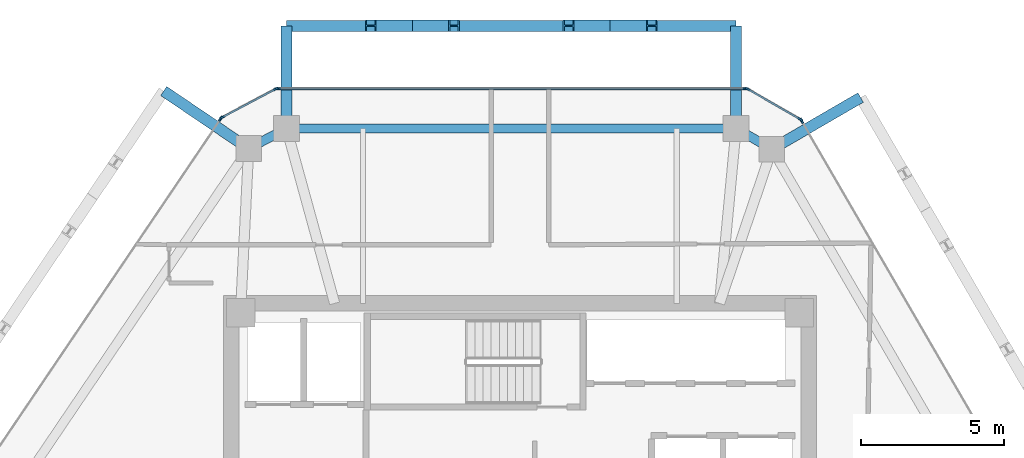
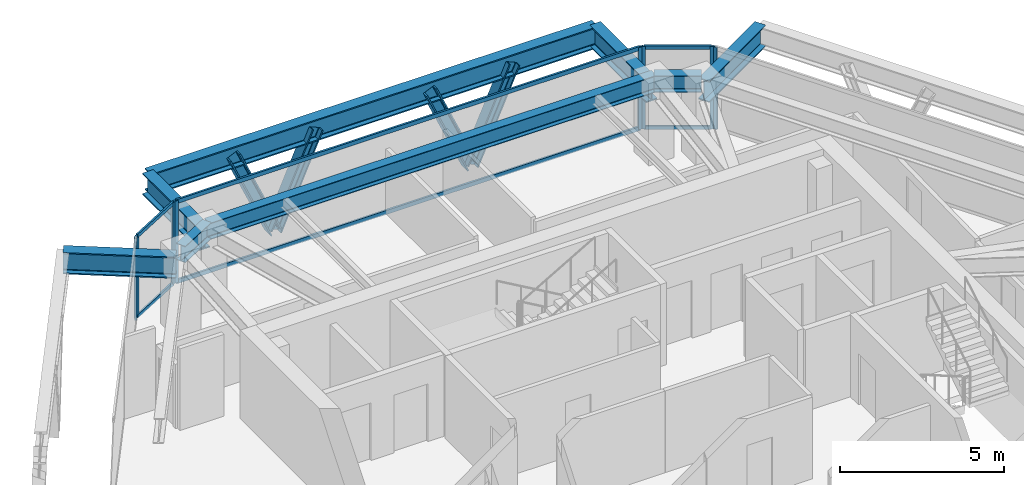
# One storey, part 6 of 11: 18 members, 8 beams, 5 elements without a shape of their own.
"""IFC4 building model written with IfcOpenShell, lengths in metres."""

from ifc_helpers import new_model, si_unit, direction, frame, origin, origin_2d, place, context, subcontext, project, spatial, rectangle, i_section, extrude, source, transform, mapped, material, layer, layer_set, material_profile, profile_set, type_object, type_shapes, element, aggregate, save


model = new_model("IFC4")

# Units and contexts
model_context = context("Model", 3, precision=1e-05, world=origin(), true_north=direction((0.0, 1.0)))
body_context = subcontext(model_context, "Body", "Model", "MODEL_VIEW")
ifc_project = project(units=[si_unit("LENGTHUNIT", "METRE"), si_unit("AREAUNIT", "SQUARE_METRE"), si_unit("VOLUMEUNIT", "CUBIC_METRE"), si_unit("PLANEANGLEUNIT", "RADIAN"), si_unit("MASSUNIT", "GRAM", prefix="KILO")], contexts=[model_context])

# Site, building, storey
site_placement = place(None, origin())
site = spatial("IfcSite", under=ifc_project, at=site_placement, CompositionType="ELEMENT")
building_placement = place(site_placement, origin())
building = spatial("IfcBuilding", under=site, at=building_placement, Name="Durnholm Broadcast Tower", CompositionType="ELEMENT")
storey_placement = place(building_placement, frame((0.0, 0.0, 224.89990234375)))
storey = spatial("IfcBuildingStorey", under=building, at=storey_placement, Name="L62", CompositionType="ELEMENT", Elevation=224.89990234375)

# Beams
ifc_material_1 = material(Name="Steel ASTM A992 Grade 50", Category="steel")
ifc_material_profile_1 = material_profile(ifc_material_1, i_section(OverallWidth=0.385009765625, OverallDepth=0.802978515625, WebThickness=0.023681640625, FlangeThickness=0.0419921875, FilletRadius=0.032958984375, at=origin_2d()), Name="W30X261")
ifc_profile_set_1 = profile_set([ifc_material_profile_1], Name="Steel ASTM A992 Grade 50")
beam_type_1 = type_object("IfcBeamType", Name="BM-EXO-TIE", PredefinedType="USERDEFINED", material=ifc_profile_set_1)
shared_shape_1 = source(origin(), body_context, "Body", "SweptSolid", [
    extrude(i_section(OverallWidth=0.385009765625, OverallDepth=0.802978515625, WebThickness=0.023681640625, FlangeThickness=0.0419921875, FilletRadius=0.032958984375, at=origin_2d()), origin(), (0.0, 0.0, 1.0), 3.4560546875),
])
for number, where, z_axis, x_axis, name in (
    (1, (7.57958984375, 14.406005859375, 2.30859375), (0.0, 1.0, 0.0), (-1.0, 0.0, 0.0), "L62 exoskeleton stand-off tie bracket F4.1"),
    (2, (-8.187744140625, 14.406005859375, 2.30859375), (0.0, 1.0, 0.0), (-1.0, 0.0, 0.0), "L62 exoskeleton stand-off tie bracket F4.2"),
):
    element("IfcBeam", number, at=place(storey_placement, frame(where, z_axis=z_axis, x_axis=x_axis)), inside=storey, type_object=beam_type_1, Name=name, ObjectType="GIRDER", PredefinedType="USERDEFINED", context=body_context, shape_type="MappedRepresentation", body=[
        mapped(shared_shape_1, transform((0.0, 0.0, 0.0), x_axis=(1.0, 0.0, 0.0), y_axis=(0.0, 1.0, 0.0), z_axis=(0.0, 0.0, 1.0), scale=1.0)),
    ])
shared_shape_2 = source(origin(), body_context, "Body", "SweptSolid", [
    extrude(i_section(OverallWidth=0.385009765625, OverallDepth=0.802978515625, WebThickness=0.023681640625, FlangeThickness=0.0419921875, FilletRadius=0.032958984375, at=origin_2d()), origin(), (0.0, 0.0, 1.0), 3.455810546875),
])
for number, where, z_axis, x_axis, name in (
    (3, (8.9619140625, 13.610107421875, 2.30859375), (0.864906682814, 0.501932694715, 0.0), (-0.501932694715, 0.864906682814, 0.0), "L62 exoskeleton stand-off tie bracket F3.2"),
    (4, (-9.63427734375, 13.637939453125, 2.30859375), (-0.828446342252, 0.560068440469, 0.0), (-0.560068440469, -0.828446342252, 0.0), "L62 exoskeleton stand-off tie bracket F5.1"),
):
    element("IfcBeam", number, at=place(storey_placement, frame(where, z_axis=z_axis, x_axis=x_axis)), inside=storey, type_object=beam_type_1, Name=name, ObjectType="GIRDER", PredefinedType="USERDEFINED", context=body_context, shape_type="MappedRepresentation", body=[
        mapped(shared_shape_2, transform((0.0, 0.0, 0.0), x_axis=(1.0, 0.0, 0.0), y_axis=(0.0, 1.0, 0.0), z_axis=(0.0, 0.0, 1.0), scale=1.0)),
    ])
ifc_material_profile_2 = material_profile(ifc_material_1, i_section(OverallWidth=0.3251953125, OverallDepth=0.6162109375, WebThickness=0.013916015625, FlangeThickness=0.021484375, FilletRadius=0.02783203125, at=origin_2d()), Name="W24X117")
ifc_profile_set_2 = profile_set([ifc_material_profile_2], Name="Steel ASTM A992 Grade 50")
beam_type_2 = type_object("IfcBeamType", Name="STL-SP-W24X117", PredefinedType="SPANDREL", material=ifc_profile_set_2)
shared_shape_3 = source(origin(), body_context, "Body", "SweptSolid", [
    extrude(i_section(OverallWidth=0.3251953125, OverallDepth=0.6162109375, WebThickness=0.013916015625, FlangeThickness=0.021484375, FilletRadius=0.02783203125, at=origin_2d()), origin(), (0.0, 0.0, 1.0), 1.502685546875),
])
beam_1_placement = place(storey_placement, frame((-9.514892578125, 13.557373046875, 2.737060546875), z_axis=(0.883241909673, 0.468917614296, 0.0), x_axis=(-0.468917614296, 0.883241909673, 0.0)))
element("IfcBeam", 5, at=beam_1_placement, inside=storey, type_object=beam_type_2, Name="L62 perimeter spandrel girder 04", PredefinedType="SPANDREL", context=body_context, shape_type="MappedRepresentation", body=[
    mapped(shared_shape_3, transform((0.0, 0.0, 0.0), x_axis=(1.0, 0.0, 0.0), y_axis=(0.0, 1.0, 0.0), z_axis=(0.0, 0.0, 1.0), scale=1.0)),
])
shared_shape_4 = source(origin(), body_context, "Body", "SweptSolid", [
    extrude(i_section(OverallWidth=0.3251953125, OverallDepth=0.6162109375, WebThickness=0.013916015625, FlangeThickness=0.021484375, FilletRadius=0.02783203125, at=origin_2d()), origin(), (0.0, 0.0, 1.0), 15.767333984375),
])
beam_2_placement = place(storey_placement, frame((-8.187744140625, 14.261962890625, 2.737060546875), z_axis=(1.0, 0.0, 0.0), x_axis=(0.0, 1.0, 0.0)))
element("IfcBeam", 6, at=beam_2_placement, inside=storey, type_object=beam_type_2, Name="L62 perimeter spandrel girder 05", PredefinedType="SPANDREL", context=body_context, shape_type="MappedRepresentation", body=[
    mapped(shared_shape_4, transform((0.0, 0.0, 0.0), x_axis=(1.0, 0.0, 0.0), y_axis=(0.0, 1.0, 0.0), z_axis=(0.0, 0.0, 1.0), scale=1.0)),
])
shared_shape_5 = source(origin(), body_context, "Body", "SweptSolid", [
    extrude(i_section(OverallWidth=0.3251953125, OverallDepth=0.6162109375, WebThickness=0.013916015625, FlangeThickness=0.021484375, FilletRadius=0.02783203125, at=origin_2d()), origin(), (0.0, 0.0, 1.0), 1.451416015625),
])
type_shapes(beam_type_2, [shared_shape_3, shared_shape_4, shared_shape_5])
beam_3_placement = place(storey_placement, frame((7.57958984375, 14.261962890625, 2.737060546875), z_axis=(0.866571760088, -0.499052486836, 0.0), x_axis=(0.499052486836, 0.866571760088, 0.0)))
element("IfcBeam", 7, at=beam_3_placement, inside=storey, type_object=beam_type_2, Name="L62 perimeter spandrel girder 06", PredefinedType="SPANDREL", context=body_context, shape_type="MappedRepresentation", body=[
    mapped(shared_shape_5, transform((0.0, 0.0, 0.0), x_axis=(1.0, 0.0, 0.0), y_axis=(0.0, 1.0, 0.0), z_axis=(0.0, 0.0, 1.0), scale=1.0)),
])
shared_shape_6 = source(origin(), body_context, "Body", "SweptSolid", [
    extrude(i_section(OverallWidth=0.385009765625, OverallDepth=0.802978515625, WebThickness=0.023681640625, FlangeThickness=0.0419921875, FilletRadius=0.032958984375, at=origin_2d()), origin(), (0.0, 0.0, 1.0), 15.767333984375),
])
type_shapes(beam_type_1, [shared_shape_1, shared_shape_2, shared_shape_6])
beam_4_placement = place(storey_placement, frame((7.57958984375, 17.862060546875, 2.30859375), z_axis=(-1.0, 0.0, 0.0), x_axis=(0.0, -1.0, 0.0)))
element("IfcBeam", 8, at=beam_4_placement, inside=storey, type_object=beam_type_1, Name="L62 exoskeleton collector spandrel F4", PredefinedType="SPANDREL", context=body_context, shape_type="MappedRepresentation", body=[
    mapped(shared_shape_6, transform((0.0, 0.0, 0.0), x_axis=(1.0, 0.0, 0.0), y_axis=(0.0, 1.0, 0.0), z_axis=(0.0, 0.0, 1.0), scale=1.0)),
])

# Members
ifc_material_2 = material(Name="Steel ASTM A913 Grade 65", Category="steel")
ifc_material_profile_3 = material_profile(ifc_material_2, i_section(OverallWidth=0.40625, OverallDepth=0.416015625, WebThickness=0.02978515625, FlangeThickness=0.048095703125, FilletRadius=0.030517578125, at=origin_2d()), Name="W14X257")
ifc_profile_set_3 = profile_set([ifc_material_profile_3], Name="Steel ASTM A913 Grade 65")
member_type_1 = type_object("IfcMemberType", Name="STL-DG-W14X257", PredefinedType="BRACE", material=ifc_profile_set_3)
shared_shape_7 = source(origin(), body_context, "Body", "SweptSolid", [
    extrude(i_section(OverallWidth=0.40625, OverallDepth=0.416015625, WebThickness=0.02978515625, FlangeThickness=0.048095703125, FilletRadius=0.030517578125, at=origin_2d()), origin(), (0.0, 0.0, 1.0), 3.60791015625),
])
for number, where, z_axis, x_axis, name in (
    (9, (3.164794921875, 17.862060546875, -0.991455078125), (0.404184914295, 0.0, 0.914677295584), (0.0, 1.0, 0.0), "L62 stand-off diagrid brace F4.D1.1"),
    (10, (3.164794921875, 17.862060546875, -0.991455078125), (-0.404184914295, 0.0, 0.914677295584), (0.0, -1.0, 0.0), "L62 stand-off diagrid brace F4.D1.2"),
    (11, (-3.772705078125, 17.862060546875, -0.991455078125), (-0.404184914295, 0.0, 0.914677295584), (0.0, -1.0, 0.0), "L62 stand-off diagrid brace F4.D2.2"),
):
    element("IfcMember", number, at=place(storey_placement, frame(where, z_axis=z_axis, x_axis=x_axis)), inside=storey, type_object=member_type_1, Name=name, PredefinedType="BRACE", context=body_context, shape_type="MappedRepresentation", body=[
        mapped(shared_shape_7, transform((0.0, 0.0, 0.0), x_axis=(1.0, 0.0, 0.0), y_axis=(0.0, 1.0, 0.0), z_axis=(0.0, 0.0, 1.0), scale=1.0)),
    ])
shared_shape_8 = source(origin(), body_context, "Body", "SweptSolid", [
    extrude(i_section(OverallWidth=0.40625, OverallDepth=0.416015625, WebThickness=0.02978515625, FlangeThickness=0.048095703125, FilletRadius=0.030517578125, at=origin_2d()), origin(), (0.0, 0.0, 1.0), 3.607666015625),
])
type_shapes(member_type_1, [shared_shape_7, shared_shape_8])
member_1_placement = place(storey_placement, frame((-3.772705078125, 17.862060546875, -0.991455078125), z_axis=(0.404128298032, 0.0, 0.914702311536), x_axis=(0.0, 1.0, 0.0)))
element("IfcMember", 12, at=member_1_placement, inside=storey, type_object=member_type_1, Name="L62 stand-off diagrid brace F4.D2.1", PredefinedType="BRACE", context=body_context, shape_type="MappedRepresentation", body=[
    mapped(shared_shape_8, transform((0.0, 0.0, 0.0), x_axis=(1.0, 0.0, 0.0), y_axis=(0.0, 1.0, 0.0), z_axis=(0.0, 0.0, 1.0), scale=1.0)),
])

# Curtain wall, members
ifc_material_3 = material(Name="Aluminium and Solar Control IGU", Category="aluminium")
ifc_layer_1 = layer(ifc_material_3, 0.1650390625)
ifc_layer_set_1 = layer_set([ifc_layer_1], Name="Aluminium and Solar Control IGU")
curtain_wall_type_1 = type_object("IfcCurtainWallType", Name="CW-SYS-5", PredefinedType="NOTDEFINED", material=ifc_layer_set_1)
curtain_wall_1_placement = place(storey_placement, origin())
curtain_wall_1 = element("IfcCurtainWall", 13, at=curtain_wall_1_placement, inside=storey, type_object=curtain_wall_type_1, Name="L62 curtain wall CW-CORNER CW-L62-CRN-03", PredefinedType="NOTDEFINED")
ifc_material_4 = material(Name="Aluminium 6063-T6", Category="aluminium")
ifc_material_profile_4 = material_profile(ifc_material_4, rectangle(XDim=0.06494140625, YDim=0.1298828125, at=origin_2d()), Name="CWT65X130")
ifc_profile_set_4 = profile_set([ifc_material_profile_4], Name="Aluminium 6063-T6")
member_type_2 = type_object("IfcMemberType", Name="CW-SYS-5-TRN", PredefinedType="USERDEFINED", material=ifc_profile_set_4)
shared_shape_9 = source(origin(), body_context, "Body", "SweptSolid", [
    extrude(rectangle(XDim=0.06494140625, YDim=0.1298828125, at=origin_2d()), origin(), (0.0, 0.0, 1.0), 2.070068359375),
])
type_shapes(member_type_2, [shared_shape_9])
member_2_placement = place(storey_placement, frame((-10.421875, 14.66064453125, 0.03271484375), z_axis=(0.883164581026, 0.469063239682, 0.0), x_axis=(-0.469063239682, 0.883164581026, 0.0)))
member_2 = element("IfcMember", 14, at=member_2_placement, type_object=member_type_2, Name="CW-CORNER transom 1.1", ObjectType="TRANSOM", PredefinedType="USERDEFINED", context=body_context, shape_type="MappedRepresentation", body=[
    mapped(shared_shape_9, transform((0.0, 0.0, 0.0), x_axis=(1.0, 0.0, 0.0), y_axis=(0.0, 1.0, 0.0), z_axis=(0.0, 0.0, 1.0), scale=1.0)),
])
member_3_placement = place(storey_placement, frame((-10.421875, 14.66064453125, 3.027587890625), z_axis=(0.883164581026, 0.469063239682, 0.0), x_axis=(-0.469063239682, 0.883164581026, 0.0)))
member_3 = element("IfcMember", 15, at=member_3_placement, type_object=member_type_2, Name="CW-CORNER transom 1.2", ObjectType="TRANSOM", PredefinedType="USERDEFINED", context=body_context, shape_type="MappedRepresentation", body=[
    mapped(shared_shape_9, transform((0.0, 0.0, 0.0), x_axis=(1.0, 0.0, 0.0), y_axis=(0.0, 1.0, 0.0), z_axis=(0.0, 0.0, 1.0), scale=1.0)),
])

curtain_wall_2_placement = place(storey_placement, origin())
curtain_wall_2 = element("IfcCurtainWall", 16, at=curtain_wall_2_placement, inside=storey, type_object=curtain_wall_type_1, Name="L62 curtain wall CW-CORNER CW-L62-CRN-05", PredefinedType="NOTDEFINED")
member_4_placement = place(storey_placement, frame((8.01025390625, 15.629638671875, 0.03271484375), z_axis=(0.866525076636, -0.499133540809, 0.0), x_axis=(0.499133540809, 0.866525076636, 0.0)))
member_4 = element("IfcMember", 17, at=member_4_placement, type_object=member_type_2, Name="CW-CORNER transom 1.1", ObjectType="TRANSOM", PredefinedType="USERDEFINED", context=body_context, shape_type="MappedRepresentation", body=[
    mapped(shared_shape_9, transform((0.0, 0.0, 0.0), x_axis=(1.0, 0.0, 0.0), y_axis=(0.0, 1.0, 0.0), z_axis=(0.0, 0.0, 1.0), scale=1.0)),
])
member_5_placement = place(storey_placement, frame((8.01025390625, 15.629638671875, 3.027587890625), z_axis=(0.866525076636, -0.499133540809, 0.0), x_axis=(0.499133540809, 0.866525076636, 0.0)))
member_5 = element("IfcMember", 18, at=member_5_placement, type_object=member_type_2, Name="CW-CORNER transom 1.2", ObjectType="TRANSOM", PredefinedType="USERDEFINED", context=body_context, shape_type="MappedRepresentation", body=[
    mapped(shared_shape_9, transform((0.0, 0.0, 0.0), x_axis=(1.0, 0.0, 0.0), y_axis=(0.0, 1.0, 0.0), z_axis=(0.0, 0.0, 1.0), scale=1.0)),
])

# Member
ifc_material_profile_5 = material_profile(ifc_material_4, rectangle(XDim=0.06494140625, YDim=0.1650390625, at=origin_2d()), Name="CWM65X165")
ifc_profile_set_5 = profile_set([ifc_material_profile_5], Name="Aluminium 6063-T6")
member_type_3 = type_object("IfcMemberType", Name="CW-SYS-5-MUL", PredefinedType="MULLION", material=ifc_profile_set_5)
shared_shape_10 = source(origin(), body_context, "Body", "SweptSolid", [
    extrude(rectangle(XDim=0.06494140625, YDim=0.1650390625, at=origin_2d()), origin(), (0.0, 0.0, 1.0), 3.06005859375),
])
type_shapes(member_type_3, [shared_shape_10])
member_6_placement = place(storey_placement, frame((-10.45068359375, 14.6455078125, 0.0), z_axis=(0.0, 0.0, 1.0), x_axis=(-0.469006771575, 0.883194569853, 0.0)))
member_6 = element("IfcMember", 19, at=member_6_placement, type_object=member_type_3, Name="CW-CORNER mullion 1", PredefinedType="MULLION", context=body_context, shape_type="MappedRepresentation", body=[
    mapped(shared_shape_10, transform((0.0, 0.0, 0.0), x_axis=(1.0, 0.0, 0.0), y_axis=(0.0, 1.0, 0.0), z_axis=(0.0, 0.0, 1.0), scale=1.0)),
])

member_7_placement = place(storey_placement, frame((-8.565185546875, 15.646728515625, 0.0), z_axis=(0.0, 0.0, 1.0), x_axis=(-0.469006771575, 0.883194569853, 0.0)))
member_7 = element("IfcMember", 20, at=member_7_placement, type_object=member_type_3, Name="CW-CORNER mullion 2", PredefinedType="MULLION", context=body_context, shape_type="MappedRepresentation", body=[
    mapped(shared_shape_10, transform((0.0, 0.0, 0.0), x_axis=(1.0, 0.0, 0.0), y_axis=(0.0, 1.0, 0.0), z_axis=(0.0, 0.0, 1.0), scale=1.0)),
])

aggregate(curtain_wall_1, [member_6, member_7, member_2, member_3])

member_8_placement = place(storey_placement, frame((7.982177734375, 15.645751953125, 0.0), z_axis=(0.0, 0.0, 1.0), x_axis=(0.499058582333, 0.866568249707, 0.0)))
member_8 = element("IfcMember", 21, at=member_8_placement, type_object=member_type_3, Name="CW-CORNER mullion 1", PredefinedType="MULLION", context=body_context, shape_type="MappedRepresentation", body=[
    mapped(shared_shape_10, transform((0.0, 0.0, 0.0), x_axis=(1.0, 0.0, 0.0), y_axis=(0.0, 1.0, 0.0), z_axis=(0.0, 0.0, 1.0), scale=1.0)),
])

member_9_placement = place(storey_placement, frame((9.832275390625, 14.580322265625, 0.0), z_axis=(0.0, 0.0, 1.0), x_axis=(0.499058582333, 0.866568249707, 0.0)))
member_9 = element("IfcMember", 22, at=member_9_placement, type_object=member_type_3, Name="CW-CORNER mullion 2", PredefinedType="MULLION", context=body_context, shape_type="MappedRepresentation", body=[
    mapped(shared_shape_10, transform((0.0, 0.0, 0.0), x_axis=(1.0, 0.0, 0.0), y_axis=(0.0, 1.0, 0.0), z_axis=(0.0, 0.0, 1.0), scale=1.0)),
])

aggregate(curtain_wall_2, [member_8, member_9, member_4, member_5])

# Curtain wall, member
ifc_layer_2 = layer(ifc_material_3, 0.18994140625)
ifc_layer_set_2 = layer_set([ifc_layer_2], Name="Aluminium and Solar Control IGU")
curtain_wall_type_2 = type_object("IfcCurtainWallType", Name="CW-SYS-4", PredefinedType="NOTDEFINED", material=ifc_layer_set_2)
curtain_wall_3_placement = place(storey_placement, origin())
curtain_wall_3 = element("IfcCurtainWall", 23, at=curtain_wall_3_placement, inside=storey, type_object=curtain_wall_type_2, Name="L62 curtain wall CW-Z34-VIS CW-L62-F02", PredefinedType="NOTDEFINED")
ifc_material_profile_6 = material_profile(ifc_material_4, rectangle(XDim=0.070068359375, YDim=0.18994140625, at=origin_2d()), Name="CWM70X190")
ifc_profile_set_6 = profile_set([ifc_material_profile_6], Name="Aluminium 6063-T6")
member_type_4 = type_object("IfcMemberType", Name="CW-SYS-4-MUL", PredefinedType="MULLION", material=ifc_profile_set_6)
shared_shape_11 = source(origin(), body_context, "Body", "SweptSolid", [
    extrude(rectangle(XDim=0.070068359375, YDim=0.18994140625, at=origin_2d()), origin(), (0.0, 0.0, 1.0), 3.06005859375),
])
type_shapes(member_type_4, [shared_shape_11])
member_10_placement = place(storey_placement, frame((-10.4990234375, 14.601318359375, 0.0), z_axis=(0.0, 0.0, 1.0), x_axis=(-0.828443431662, 0.560072745753, 0.0)))
member_10 = element("IfcMember", 24, at=member_10_placement, type_object=member_type_4, Name="CW-Z34-VIS mullion 2", PredefinedType="MULLION", context=body_context, shape_type="MappedRepresentation", body=[
    mapped(shared_shape_11, transform((0.0, 0.0, 0.0), x_axis=(1.0, 0.0, 0.0), y_axis=(0.0, 1.0, 0.0), z_axis=(0.0, 0.0, 1.0), scale=1.0)),
])
aggregate(curtain_wall_3, [member_10])

# Curtain wall, members
curtain_wall_4_placement = place(storey_placement, origin())
curtain_wall_4 = element("IfcCurtainWall", 25, at=curtain_wall_4_placement, inside=storey, type_object=curtain_wall_type_2, Name="L62 curtain wall CW-Z34-VIS CW-L62-F04", PredefinedType="NOTDEFINED")
member_11_placement = place(storey_placement, frame((-8.50146484375, 15.662109375, 0.0), z_axis=(0.0, 0.0, 1.0), x_axis=(0.0, 1.0, 0.0)))
member_11 = element("IfcMember", 26, at=member_11_placement, type_object=member_type_4, Name="CW-Z34-VIS mullion 1", PredefinedType="MULLION", context=body_context, shape_type="MappedRepresentation", body=[
    mapped(shared_shape_11, transform((0.0, 0.0, 0.0), x_axis=(1.0, 0.0, 0.0), y_axis=(0.0, 1.0, 0.0), z_axis=(0.0, 0.0, 1.0), scale=1.0)),
])
member_12_placement = place(storey_placement, frame((7.9189453125, 15.662109375, 0.0), z_axis=(0.0, 0.0, 1.0), x_axis=(0.0, 1.0, 0.0)))
member_12 = element("IfcMember", 27, at=member_12_placement, type_object=member_type_4, Name="CW-Z34-VIS mullion 2", PredefinedType="MULLION", context=body_context, shape_type="MappedRepresentation", body=[
    mapped(shared_shape_11, transform((0.0, 0.0, 0.0), x_axis=(1.0, 0.0, 0.0), y_axis=(0.0, 1.0, 0.0), z_axis=(0.0, 0.0, 1.0), scale=1.0)),
])

# Curtain wall, member
curtain_wall_5_placement = place(storey_placement, origin())
curtain_wall_5 = element("IfcCurtainWall", 28, at=curtain_wall_5_placement, inside=storey, type_object=curtain_wall_type_2, Name="L62 curtain wall CW-Z34-VIS CW-L62-F06", PredefinedType="NOTDEFINED")
member_13_placement = place(storey_placement, frame((9.8779296875, 14.533935546875, 0.0), z_axis=(0.0, 0.0, 1.0), x_axis=(0.864899883824, 0.50194441023, 0.0)))
member_13 = element("IfcMember", 29, at=member_13_placement, type_object=member_type_4, Name="CW-Z34-VIS mullion 1", PredefinedType="MULLION", context=body_context, shape_type="MappedRepresentation", body=[
    mapped(shared_shape_11, transform((0.0, 0.0, 0.0), x_axis=(1.0, 0.0, 0.0), y_axis=(0.0, 1.0, 0.0), z_axis=(0.0, 0.0, 1.0), scale=1.0)),
])
aggregate(curtain_wall_5, [member_13])

# Member
ifc_material_profile_7 = material_profile(ifc_material_4, rectangle(XDim=0.070068359375, YDim=0.14990234375, at=origin_2d()), Name="CWT70X150")
ifc_profile_set_7 = profile_set([ifc_material_profile_7], Name="Aluminium 6063-T6")
member_type_5 = type_object("IfcMemberType", Name="CW-SYS-4-TRN", PredefinedType="USERDEFINED", material=ifc_profile_set_7)
shared_shape_12 = source(origin(), body_context, "Body", "SweptSolid", [
    extrude(rectangle(XDim=0.070068359375, YDim=0.14990234375, at=origin_2d()), origin(), (0.0, 0.0, 1.0), 16.350341796875),
])
type_shapes(member_type_5, [shared_shape_12])
member_14_placement = place(storey_placement, frame((-8.46630859375, 15.662109375, 0.03515625), z_axis=(1.0, 0.0, 0.0), x_axis=(0.0, 1.0, 0.0)))
member_14 = element("IfcMember", 30, at=member_14_placement, type_object=member_type_5, Name="CW-Z34-VIS transom 1.1", ObjectType="TRANSOM", PredefinedType="USERDEFINED", context=body_context, shape_type="MappedRepresentation", body=[
    mapped(shared_shape_12, transform((0.0, 0.0, 0.0), x_axis=(1.0, 0.0, 0.0), y_axis=(0.0, 1.0, 0.0), z_axis=(0.0, 0.0, 1.0), scale=1.0)),
])

member_15_placement = place(storey_placement, frame((-8.46630859375, 15.662109375, 3.025146484375), z_axis=(1.0, 0.0, 0.0), x_axis=(0.0, 1.0, 0.0)))
member_15 = element("IfcMember", 31, at=member_15_placement, type_object=member_type_5, Name="CW-Z34-VIS transom 1.2", ObjectType="TRANSOM", PredefinedType="USERDEFINED", context=body_context, shape_type="MappedRepresentation", body=[
    mapped(shared_shape_12, transform((0.0, 0.0, 0.0), x_axis=(1.0, 0.0, 0.0), y_axis=(0.0, 1.0, 0.0), z_axis=(0.0, 0.0, 1.0), scale=1.0)),
])

aggregate(curtain_wall_4, [member_11, member_12, member_14, member_15])

save(model, "model.ifc")
